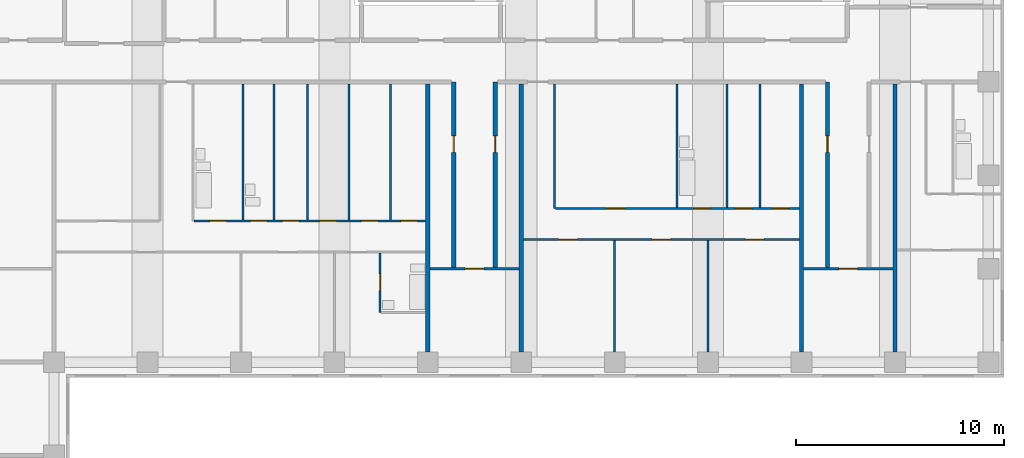
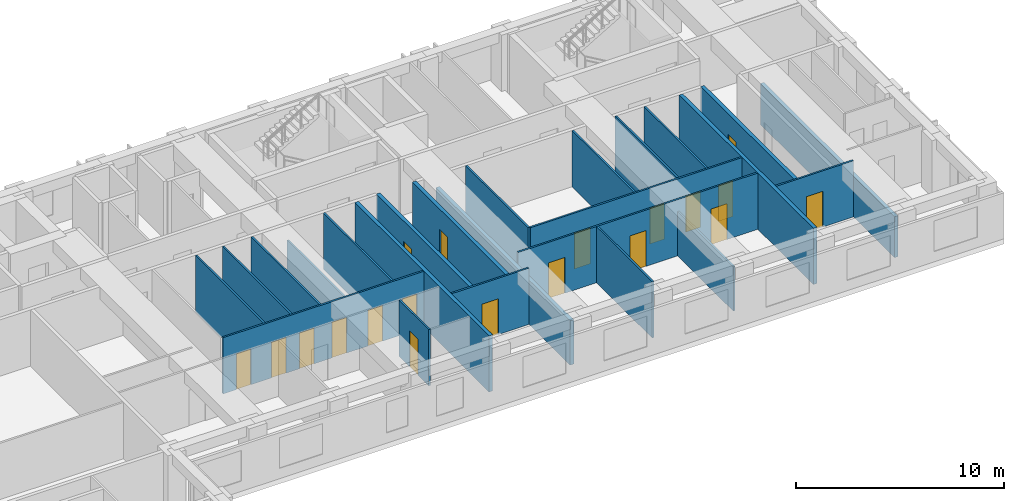
# One storey, part 7 of 12: 24 walls, 19 doors, 19 openings.
"""IFC4 building model written with IfcOpenShell, lengths in metres."""

from ifc_helpers import new_model, si_unit, direction, frame, frame_2d, origin, place, context, subcontext, project, spatial, rectangle, extrude, material, layer, layer_set, type_object, element, fill, save


model = new_model("IFC4")

# Units and contexts
model_context = context("Model", 3, precision=1e-05, world=origin(), true_north=direction((0.0, 1.0)))
body_context = subcontext(model_context, "Body", "Model", "MODEL_VIEW")
ifc_project = project(units=[si_unit("LENGTHUNIT", "METRE"), si_unit("AREAUNIT", "SQUARE_METRE"), si_unit("VOLUMEUNIT", "CUBIC_METRE"), si_unit("PLANEANGLEUNIT", "RADIAN"), si_unit("MASSUNIT", "GRAM", prefix="KILO")], contexts=[model_context])

# Site, building, storey
site_placement = place(None, origin())
site = spatial("IfcSite", under=ifc_project, at=site_placement, CompositionType="ELEMENT")
building_placement = place(site_placement, origin())
building = spatial("IfcBuilding", under=site, at=building_placement, Name="Firuza Court", CompositionType="ELEMENT")
storey_placement = place(building_placement, frame((0.0, 0.0, 155.60009765625)))
storey = spatial("IfcBuildingStorey", under=building, at=storey_placement, Name="L39", CompositionType="ELEMENT", Elevation=155.60009765625)

# Wall, opening, door
ifc_material_1 = material(Name="Moisture-resistant gypsum board partition")
ifc_layer_1 = layer(ifc_material_1, 0.10009765625)
ifc_layer_set_1 = layer_set([ifc_layer_1], Name="Moisture-resistant gypsum board partition")
wall_type_1 = type_object("IfcWallType", Name="Bathroom partition 100", PredefinedType="PLUMBINGWALL", material=ifc_layer_set_1)
wall_1_placement = place(storey_placement, frame((38.199951171875, 38.39990234375, 0.0), z_axis=(0.0, 0.0, 1.0), x_axis=(0.0, 1.0, 0.0)))
wall_1 = element("IfcWall", 1, at=wall_1_placement, inside=storey, type_object=wall_type_1, Name="Bathroom partition 100 L39", PredefinedType="PLUMBINGWALL", context=body_context, shape_type="SweptSolid", body=[
    extrude(rectangle(XDim=2.85009765625, YDim=0.10009765625, at=frame_2d((1.425048828125, 0.0))), origin(), (0.0, 0.0, 1.0), 3.2998046875),
])
opening_1_placement = place(wall_1_placement, frame((1.050048828125, 0.0, 0.0)))
opening_1 = element("IfcOpeningElement", 2, at=opening_1_placement, cuts=wall_1, Name="Opening D39039", PredefinedType="OPENING", context=body_context, shape_type="SweptSolid", body=[
    extrude(rectangle(XDim=0.800048828125, YDim=2.10009765625, at=frame_2d((0.39990234375, 1.050048828125))), frame((0.0, 0.06201171875, 0.0), z_axis=(0.0, -1.0, 0.0), x_axis=(1.0, 0.0, 0.0)), (0.0, 0.0, 1.0), 0.1240234375),
])
ifc_material_2 = material(Name="Timber door leaf in hardwood frame", Category="wood")
door_type_1 = type_object("IfcDoorType", Name="Bathroom door 800", OperationType="SINGLE_SWING_LEFT", PredefinedType="DOOR", material=ifc_material_2)
door_1_placement = place(opening_1_placement, frame((0.800048828125, 0.0, 0.0), z_axis=(0.0, 0.0, 1.0), x_axis=(-1.0, 0.0, 0.0)))
door_1 = element("IfcDoor", 3, at=door_1_placement, inside=storey, type_object=door_type_1, Name="En-suite door", OperationType="SINGLE_SWING_RIGHT", OverallHeight=2.10009765625, OverallWidth=0.800048828125, PredefinedType="DOOR", context=body_context, shape_type="SweptSolid", body=[
    extrude(rectangle(XDim=0.800048828125, YDim=2.10009765625, at=frame_2d((0.39990234375, 1.050048828125))), frame((0.0, 0.02490234375, 0.0), z_axis=(0.0, -1.0, 0.0), x_axis=(1.0, 0.0, 0.0)), (0.0, 0.0, 1.0), 0.050048828125),
])
fill(opening_1, door_1)

# Walls
for number, where, z_axis, x_axis, name in (
    (4, (31.60009765625, 42.85009765625, 0.0), (0.0, 0.0, 1.0), (0.0, 1.0, 0.0), "Bathroom partition 100 L39"),
    (5, (33.10009765625, 42.85009765625, 0.0), (0.0, 0.0, 1.0), (0.0, 1.0, 0.0), "Bathroom partition 100 L39"),
):
    element("IfcWall", number, at=place(storey_placement, frame(where, z_axis=z_axis, x_axis=x_axis)), inside=storey, type_object=wall_type_1, Name=name, PredefinedType="PLUMBINGWALL", context=body_context, shape_type="SweptSolid", body=[
        extrude(rectangle(XDim=6.5498046875, YDim=0.10009765625, at=frame_2d((3.27490234375, 0.0))), origin(), (0.0, 0.0, 1.0), 3.2998046875),
    ])
for number, where, z_axis, x_axis, name in (
    (6, (52.5, 43.449951171875, 0.0), (0.0, 0.0, 1.0), (0.0, 1.0, 0.0), "Bathroom partition 100 L39"),
    (7, (54.89990234375, 43.449951171875, 0.0), (0.0, 0.0, 1.0), (0.0, 1.0, 0.0), "Bathroom partition 100 L39"),
):
    element("IfcWall", number, at=place(storey_placement, frame(where, z_axis=z_axis, x_axis=x_axis)), inside=storey, type_object=wall_type_1, Name=name, PredefinedType="PLUMBINGWALL", context=body_context, shape_type="SweptSolid", body=[
        extrude(rectangle(XDim=5.949951171875, YDim=0.10009765625, at=frame_2d((2.97509765625, 0.0))), origin(), (0.0, 0.0, 1.0), 3.2998046875),
    ])

# Wall, opening, door
ifc_material_3 = material(Name="Blockwork, plastered both sides", Category="masonry")
ifc_layer_2 = layer(ifc_material_3, 0.199951171875)
ifc_layer_set_2 = layer_set([ifc_layer_2], Name="Blockwork, plastered both sides")
wall_type_2 = type_object("IfcWallType", Name="Corridor wall 200", PredefinedType="PARTITIONING", material=ifc_layer_set_2)
wall_2_placement = place(storey_placement, frame((41.75, 40.550048828125, 0.0), z_axis=(0.0, 0.0, 1.0), x_axis=(0.0, 1.0, 0.0)))
wall_2 = element("IfcWall", 8, at=wall_2_placement, inside=storey, type_object=wall_type_2, Name="Corridor wall 200 L39", PredefinedType="PARTITIONING", context=body_context, shape_type="SweptSolid", body=[
    extrude(rectangle(XDim=8.949951171875, YDim=0.199951171875, at=frame_2d((4.47509765625, 0.0))), origin(), (0.0, 0.0, 1.0), 3.2998046875),
])
opening_2_placement = place(wall_2_placement, frame((5.550048828125, 0.0, 0.0)))
opening_2 = element("IfcOpeningElement", 9, at=opening_2_placement, cuts=wall_2, Name="Opening D39042", PredefinedType="OPENING", context=body_context, shape_type="SweptSolid", body=[
    extrude(rectangle(XDim=0.800048828125, YDim=2.10009765625, at=frame_2d((0.39990234375, 1.050048828125))), frame((0.0, 0.11181640625, 0.0), z_axis=(0.0, -1.0, 0.0), x_axis=(1.0, 0.0, 0.0)), (0.0, 0.0, 1.0), 0.223876953125),
])
ifc_material_4 = material(Name="Timber door leaf in hardwood frame", Category="wood")
door_type_2 = type_object("IfcDoorType", Name="Room door 800 EI 30", OperationType="SINGLE_SWING_LEFT", PredefinedType="DOOR", material=ifc_material_4)
door_2_placement = place(opening_2_placement, origin())
door_2 = element("IfcDoor", 10, at=door_2_placement, inside=storey, type_object=door_type_2, Name="Store door", OperationType="SINGLE_SWING_RIGHT", OverallHeight=2.10009765625, OverallWidth=0.800048828125, PredefinedType="DOOR", context=body_context, shape_type="SweptSolid", body=[
    extrude(rectangle(XDim=0.800048828125, YDim=2.10009765625, at=frame_2d((0.39990234375, 1.050048828125))), frame((0.0, 0.02490234375, 0.0), z_axis=(0.0, -1.0, 0.0), x_axis=(1.0, 0.0, 0.0)), (0.0, 0.0, 1.0), 0.050048828125),
])
fill(opening_2, door_2)

wall_3_placement = place(storey_placement, frame((43.75, 40.550048828125, 0.0), z_axis=(0.0, 0.0, 1.0), x_axis=(0.0, 1.0, 0.0)))
wall_3 = element("IfcWall", 11, at=wall_3_placement, inside=storey, type_object=wall_type_2, Name="Corridor wall 200 L39", PredefinedType="PARTITIONING", context=body_context, shape_type="SweptSolid", body=[
    extrude(rectangle(XDim=8.949951171875, YDim=0.199951171875, at=frame_2d((4.47509765625, 0.0))), origin(), (0.0, 0.0, 1.0), 3.2998046875),
])
opening_3_placement = place(wall_3_placement, frame((5.550048828125, 0.0, 0.0)))
opening_3 = element("IfcOpeningElement", 12, at=opening_3_placement, cuts=wall_3, Name="Opening D39043", PredefinedType="OPENING", context=body_context, shape_type="SweptSolid", body=[
    extrude(rectangle(XDim=0.800048828125, YDim=2.10009765625, at=frame_2d((0.39990234375, 1.050048828125))), frame((0.0, 0.11181640625, 0.0), z_axis=(0.0, -1.0, 0.0), x_axis=(1.0, 0.0, 0.0)), (0.0, 0.0, 1.0), 0.223876953125),
])
door_3_placement = place(opening_3_placement, frame((0.800048828125, 0.0, 0.0), z_axis=(0.0, 0.0, 1.0), x_axis=(-1.0, 0.0, 0.0)))
door_3 = element("IfcDoor", 13, at=door_3_placement, inside=storey, type_object=door_type_2, Name="Store door", OperationType="SINGLE_SWING_LEFT", OverallHeight=2.10009765625, OverallWidth=0.800048828125, PredefinedType="DOOR", context=body_context, shape_type="SweptSolid", body=[
    extrude(rectangle(XDim=0.800048828125, YDim=2.10009765625, at=frame_2d((0.39990234375, 1.050048828125))), frame((0.0, 0.02490234375, 0.0), z_axis=(0.0, -1.0, 0.0), x_axis=(1.0, 0.0, 0.0)), (0.0, 0.0, 1.0), 0.050048828125),
])
fill(opening_3, door_3)

wall_4_placement = place(storey_placement, frame((59.75, 40.550048828125, 0.0), z_axis=(0.0, 0.0, 1.0), x_axis=(0.0, 1.0, 0.0)))
wall_4 = element("IfcWall", 14, at=wall_4_placement, inside=storey, type_object=wall_type_2, Name="Corridor wall 200 L39", PredefinedType="PARTITIONING", context=body_context, shape_type="SweptSolid", body=[
    extrude(rectangle(XDim=8.949951171875, YDim=0.199951171875, at=frame_2d((4.47509765625, 0.0))), origin(), (0.0, 0.0, 1.0), 3.2998046875),
])
opening_4_placement = place(wall_4_placement, frame((5.550048828125, 0.0, 0.0)))
opening_4 = element("IfcOpeningElement", 15, at=opening_4_placement, cuts=wall_4, Name="Opening D39044", PredefinedType="OPENING", context=body_context, shape_type="SweptSolid", body=[
    extrude(rectangle(XDim=0.800048828125, YDim=2.10009765625, at=frame_2d((0.39990234375, 1.050048828125))), frame((0.0, 0.11181640625, 0.0), z_axis=(0.0, -1.0, 0.0), x_axis=(1.0, 0.0, 0.0)), (0.0, 0.0, 1.0), 0.223876953125),
])
door_4_placement = place(opening_4_placement, origin())
door_4 = element("IfcDoor", 16, at=door_4_placement, inside=storey, type_object=door_type_2, Name="Store door", OperationType="SINGLE_SWING_RIGHT", OverallHeight=2.10009765625, OverallWidth=0.800048828125, PredefinedType="DOOR", context=body_context, shape_type="SweptSolid", body=[
    extrude(rectangle(XDim=0.800048828125, YDim=2.10009765625, at=frame_2d((0.39990234375, 1.050048828125))), frame((0.0, 0.02490234375, 0.0), z_axis=(0.0, -1.0, 0.0), x_axis=(1.0, 0.0, 0.0)), (0.0, 0.0, 1.0), 0.050048828125),
])
fill(opening_4, door_4)

# Walls
ifc_material_5 = material(Name="Timber stud partition, plasterboard both sides", Category="wood")
ifc_layer_3 = layer(ifc_material_5, 0.10009765625)
ifc_layer_set_3 = layer_set([ifc_layer_3], Name="Timber stud partition, plasterboard both sides")
wall_type_3 = type_object("IfcWallType", Name="Partition wall 100", PredefinedType="PARTITIONING", material=ifc_layer_set_3)
wall_5_placement = place(storey_placement, frame((49.5, 36.5, 0.0), z_axis=(0.0, 0.0, 1.0), x_axis=(0.0, 1.0, 0.0)))
element("IfcWall", 17, at=wall_5_placement, inside=storey, type_object=wall_type_3, Name="Partition wall 100 L39", PredefinedType="PARTITIONING", context=body_context, shape_type="SweptSolid", body=[
    extrude(rectangle(XDim=5.35009765625, YDim=0.10009765625, at=frame_2d((2.675048828125, 0.0))), origin(), (0.0, 0.0, 1.0), 3.2998046875),
])
wall_6_placement = place(storey_placement, frame((54.0, 36.5, 0.0), z_axis=(0.0, 0.0, 1.0), x_axis=(0.0, 1.0, 0.0)))
element("IfcWall", 18, at=wall_6_placement, inside=storey, type_object=wall_type_3, Name="Partition wall 100 L39", PredefinedType="PARTITIONING", context=body_context, shape_type="SweptSolid", body=[
    extrude(rectangle(XDim=5.35009765625, YDim=0.10009765625, at=frame_2d((2.675048828125, 0.0))), origin(), (0.0, 0.0, 1.0), 2.599853515625),
])

# Wall, opening, door
wall_7_placement = place(storey_placement, frame((40.60009765625, 40.5, 0.0), z_axis=(0.0, 0.0, 1.0), x_axis=(1.0, 0.0, 0.0)))
wall_7 = element("IfcWall", 19, at=wall_7_placement, inside=storey, type_object=wall_type_3, Name="Partition wall 100 L39", PredefinedType="PARTITIONING", context=body_context, shape_type="SweptSolid", body=[
    extrude(rectangle(XDim=4.2998046875, YDim=0.10009765625, at=frame_2d((2.14990234375, 0.0))), origin(), (0.0, 0.0, 1.0), 3.2998046875),
])
opening_5_placement = place(wall_7_placement, frame((1.699951171875, 0.0, 0.0)))
opening_5 = element("IfcOpeningElement", 20, at=opening_5_placement, cuts=wall_7, Name="Opening D39040", PredefinedType="OPENING", context=body_context, shape_type="SweptSolid", body=[
    extrude(rectangle(XDim=0.89990234375, YDim=2.10009765625, at=frame_2d((0.449951171875, 1.050048828125))), frame((0.0, 0.06201171875, 0.0), z_axis=(0.0, -1.0, 0.0), x_axis=(1.0, 0.0, 0.0)), (0.0, 0.0, 1.0), 0.1240234375),
])
ifc_material_6 = material(Name="Timber door leaf in hardwood frame", Category="wood")
door_type_3 = type_object("IfcDoorType", Name="Room door 900", OperationType="SINGLE_SWING_LEFT", PredefinedType="DOOR", material=ifc_material_6)
door_5_placement = place(opening_5_placement, origin())
door_5 = element("IfcDoor", 21, at=door_5_placement, inside=storey, type_object=door_type_3, Name="Music lounge door", OperationType="SINGLE_SWING_LEFT", OverallHeight=2.10009765625, OverallWidth=0.89990234375, PredefinedType="DOOR", context=body_context, shape_type="SweptSolid", body=[
    extrude(rectangle(XDim=0.89990234375, YDim=2.10009765625, at=frame_2d((0.449951171875, 1.050048828125))), frame((0.0, 0.02490234375, 0.0), z_axis=(0.0, -1.0, 0.0), x_axis=(1.0, 0.0, 0.0)), (0.0, 0.0, 1.0), 0.050048828125),
])
fill(opening_5, door_5)

wall_8_placement = place(storey_placement, frame((58.60009765625, 40.5, 0.0), z_axis=(0.0, 0.0, 1.0), x_axis=(1.0, 0.0, 0.0)))
wall_8 = element("IfcWall", 22, at=wall_8_placement, inside=storey, type_object=wall_type_3, Name="Partition wall 100 L39", PredefinedType="PARTITIONING", context=body_context, shape_type="SweptSolid", body=[
    extrude(rectangle(XDim=4.2998046875, YDim=0.10009765625, at=frame_2d((2.14990234375, 0.0))), origin(), (0.0, 0.0, 1.0), 3.2998046875),
])
opening_6_placement = place(wall_8_placement, frame((1.699951171875, 0.0, 0.0)))
opening_6 = element("IfcOpeningElement", 23, at=opening_6_placement, cuts=wall_8, Name="Opening D39041", PredefinedType="OPENING", context=body_context, shape_type="SweptSolid", body=[
    extrude(rectangle(XDim=0.89990234375, YDim=2.10009765625, at=frame_2d((0.449951171875, 1.050048828125))), frame((0.0, 0.06201171875, 0.0), z_axis=(0.0, -1.0, 0.0), x_axis=(1.0, 0.0, 0.0)), (0.0, 0.0, 1.0), 0.1240234375),
])
door_6_placement = place(opening_6_placement, origin())
door_6 = element("IfcDoor", 24, at=door_6_placement, inside=storey, type_object=door_type_3, Name="Residents' lounge door", OperationType="SINGLE_SWING_LEFT", OverallHeight=2.10009765625, OverallWidth=0.89990234375, PredefinedType="DOOR", context=body_context, shape_type="SweptSolid", body=[
    extrude(rectangle(XDim=0.89990234375, YDim=2.10009765625, at=frame_2d((0.449951171875, 1.050048828125))), frame((0.0, 0.02490234375, 0.0), z_axis=(0.0, -1.0, 0.0), x_axis=(1.0, 0.0, 0.0)), (0.0, 0.0, 1.0), 0.050048828125),
])
fill(opening_6, door_6)

# Wall, openings, doors
wall_9_placement = place(storey_placement, frame((45.10009765625, 41.89990234375, 0.0), z_axis=(0.0, 0.0, 1.0), x_axis=(1.0, 0.0, 0.0)))
wall_9 = element("IfcWall", 25, at=wall_9_placement, inside=storey, type_object=wall_type_3, Name="Partition wall 100 L39", PredefinedType="PARTITIONING", context=body_context, shape_type="SweptSolid", body=[
    extrude(rectangle(XDim=13.2998046875, YDim=0.10009765625, at=frame_2d((6.64990234375, 0.0))), origin(), (0.0, 0.0, 1.0), 3.2998046875),
])
opening_7_placement = place(wall_9_placement, frame((1.699951171875, 0.0, 0.0)))
opening_7 = element("IfcOpeningElement", 26, at=opening_7_placement, cuts=wall_9, Name="Opening D39050", PredefinedType="OPENING", context=body_context, shape_type="SweptSolid", body=[
    extrude(rectangle(XDim=0.89990234375, YDim=2.10009765625, at=frame_2d((0.449951171875, 1.050048828125))), frame((0.0, 0.06201171875, 0.0), z_axis=(0.0, -1.0, 0.0), x_axis=(1.0, 0.0, 0.0)), (0.0, 0.0, 1.0), 0.1240234375),
])
opening_8_placement = place(wall_9_placement, frame((6.199951171875, 0.0, 0.0)))
opening_8 = element("IfcOpeningElement", 27, at=opening_8_placement, cuts=wall_9, Name="Opening D39051", PredefinedType="OPENING", context=body_context, shape_type="SweptSolid", body=[
    extrude(rectangle(XDim=0.89990234375, YDim=2.10009765625, at=frame_2d((0.449951171875, 1.050048828125))), frame((0.0, 0.06201171875, 0.0), z_axis=(0.0, -1.0, 0.0), x_axis=(1.0, 0.0, 0.0)), (0.0, 0.0, 1.0), 0.1240234375),
])
opening_9_placement = place(wall_9_placement, frame((10.699951171875, 0.0, 0.0)))
opening_9 = element("IfcOpeningElement", 28, at=opening_9_placement, cuts=wall_9, Name="Opening D39052", PredefinedType="OPENING", context=body_context, shape_type="SweptSolid", body=[
    extrude(rectangle(XDim=0.89990234375, YDim=2.10009765625, at=frame_2d((0.449951171875, 1.050048828125))), frame((0.0, 0.06201171875, 0.0), z_axis=(0.0, -1.0, 0.0), x_axis=(1.0, 0.0, 0.0)), (0.0, 0.0, 1.0), 0.1240234375),
])
door_7_placement = place(opening_7_placement, frame((0.89990234375, 0.0, 0.0), z_axis=(0.0, 0.0, 1.0), x_axis=(-1.0, 0.0, 0.0)))
door_7 = element("IfcDoor", 29, at=door_7_placement, inside=storey, type_object=door_type_3, Name="Living room door", OperationType="SINGLE_SWING_RIGHT", OverallHeight=2.10009765625, OverallWidth=0.89990234375, PredefinedType="DOOR", context=body_context, shape_type="SweptSolid", body=[
    extrude(rectangle(XDim=0.89990234375, YDim=2.10009765625, at=frame_2d((0.449951171875, 1.050048828125))), frame((0.0, 0.02490234375, 0.0), z_axis=(0.0, -1.0, 0.0), x_axis=(1.0, 0.0, 0.0)), (0.0, 0.0, 1.0), 0.050048828125),
])
fill(opening_7, door_7)
door_8_placement = place(opening_8_placement, frame((0.89990234375, 0.0, 0.0), z_axis=(0.0, 0.0, 1.0), x_axis=(-1.0, 0.0, 0.0)))
door_8 = element("IfcDoor", 30, at=door_8_placement, inside=storey, type_object=door_type_3, Name="Bedroom door", OperationType="SINGLE_SWING_RIGHT", OverallHeight=2.10009765625, OverallWidth=0.89990234375, PredefinedType="DOOR", context=body_context, shape_type="SweptSolid", body=[
    extrude(rectangle(XDim=0.89990234375, YDim=2.10009765625, at=frame_2d((0.449951171875, 1.050048828125))), frame((0.0, 0.02490234375, 0.0), z_axis=(0.0, -1.0, 0.0), x_axis=(1.0, 0.0, 0.0)), (0.0, 0.0, 1.0), 0.050048828125),
])
fill(opening_8, door_8)
door_9_placement = place(opening_9_placement, frame((0.89990234375, 0.0, 0.0), z_axis=(0.0, 0.0, 1.0), x_axis=(-1.0, 0.0, 0.0)))
door_9 = element("IfcDoor", 31, at=door_9_placement, inside=storey, type_object=door_type_3, Name="Bedroom door", OperationType="SINGLE_SWING_RIGHT", OverallHeight=2.10009765625, OverallWidth=0.89990234375, PredefinedType="DOOR", context=body_context, shape_type="SweptSolid", body=[
    extrude(rectangle(XDim=0.89990234375, YDim=2.10009765625, at=frame_2d((0.449951171875, 1.050048828125))), frame((0.0, 0.02490234375, 0.0), z_axis=(0.0, -1.0, 0.0), x_axis=(1.0, 0.0, 0.0)), (0.0, 0.0, 1.0), 0.050048828125),
])
fill(opening_9, door_9)

wall_10_placement = place(storey_placement, frame((29.25, 42.800048828125, 0.0), z_axis=(0.0, 0.0, 1.0), x_axis=(1.0, 0.0, 0.0)))
wall_10 = element("IfcWall", 32, at=wall_10_placement, inside=storey, type_object=wall_type_3, Name="Partition wall 100 L39", PredefinedType="PARTITIONING", context=body_context, shape_type="SweptSolid", body=[
    extrude(rectangle(XDim=11.14990234375, YDim=0.10009765625, at=frame_2d((5.574951171875, 0.0))), origin(), (0.0, 0.0, 1.0), 3.2998046875),
])
opening_10_placement = place(wall_10_placement, frame((0.75, 0.0, 0.0)))
opening_10 = element("IfcOpeningElement", 33, at=opening_10_placement, cuts=wall_10, Name="Opening D39054", PredefinedType="OPENING", context=body_context, shape_type="SweptSolid", body=[
    extrude(rectangle(XDim=0.800048828125, YDim=2.10009765625, at=frame_2d((0.39990234375, 1.050048828125))), frame((0.0, 0.06201171875, 0.0), z_axis=(0.0, -1.0, 0.0), x_axis=(1.0, 0.0, 0.0)), (0.0, 0.0, 1.0), 0.1240234375),
])
opening_11_placement = place(wall_10_placement, frame((8.050048828125, 0.0, 0.0)))
opening_11 = element("IfcOpeningElement", 34, at=opening_11_placement, cuts=wall_10, Name="Opening D39055", PredefinedType="OPENING", context=body_context, shape_type="SweptSolid", body=[
    extrude(rectangle(XDim=0.800048828125, YDim=2.10009765625, at=frame_2d((0.39990234375, 1.050048828125))), frame((0.0, 0.06201171875, 0.0), z_axis=(0.0, -1.0, 0.0), x_axis=(1.0, 0.0, 0.0)), (0.0, 0.0, 1.0), 0.1240234375),
])
opening_12_placement = place(wall_10_placement, frame((4.25, 0.0, 0.0)))
opening_12 = element("IfcOpeningElement", 35, at=opening_12_placement, cuts=wall_10, Name="Opening D39056", PredefinedType="OPENING", context=body_context, shape_type="SweptSolid", body=[
    extrude(rectangle(XDim=0.800048828125, YDim=2.10009765625, at=frame_2d((0.39990234375, 1.050048828125))), frame((0.0, 0.06201171875, 0.0), z_axis=(0.0, -1.0, 0.0), x_axis=(1.0, 0.0, 0.0)), (0.0, 0.0, 1.0), 0.1240234375),
])
opening_13_placement = place(wall_10_placement, frame((6.050048828125, 0.0, 0.0)))
opening_13 = element("IfcOpeningElement", 36, at=opening_13_placement, cuts=wall_10, Name="Opening D39057", PredefinedType="OPENING", context=body_context, shape_type="SweptSolid", body=[
    extrude(rectangle(XDim=0.800048828125, YDim=2.10009765625, at=frame_2d((0.39990234375, 1.050048828125))), frame((0.0, 0.06201171875, 0.0), z_axis=(0.0, -1.0, 0.0), x_axis=(1.0, 0.0, 0.0)), (0.0, 0.0, 1.0), 0.1240234375),
])
opening_14_placement = place(wall_10_placement, frame((9.949951171875, 0.0, 0.0)))
opening_14 = element("IfcOpeningElement", 37, at=opening_14_placement, cuts=wall_10, Name="Opening D39058", PredefinedType="OPENING", context=body_context, shape_type="SweptSolid", body=[
    extrude(rectangle(XDim=0.800048828125, YDim=2.10009765625, at=frame_2d((0.39990234375, 1.050048828125))), frame((0.0, 0.06201171875, 0.0), z_axis=(0.0, -1.0, 0.0), x_axis=(1.0, 0.0, 0.0)), (0.0, 0.0, 1.0), 0.1240234375),
])
opening_15_placement = place(wall_10_placement, frame((2.699951171875, 0.0, 0.0)))
opening_15 = element("IfcOpeningElement", 38, at=opening_15_placement, cuts=wall_10, Name="Opening D39059", PredefinedType="OPENING", context=body_context, shape_type="SweptSolid", body=[
    extrude(rectangle(XDim=0.800048828125, YDim=2.10009765625, at=frame_2d((0.39990234375, 1.050048828125))), frame((0.0, 0.06201171875, 0.0), z_axis=(0.0, -1.0, 0.0), x_axis=(1.0, 0.0, 0.0)), (0.0, 0.0, 1.0), 0.1240234375),
])
door_10_placement = place(opening_10_placement, origin())
door_10 = element("IfcDoor", 39, at=door_10_placement, inside=storey, type_object=door_type_1, Name="Bathroom door", OperationType="SINGLE_SWING_LEFT", OverallHeight=2.10009765625, OverallWidth=0.800048828125, PredefinedType="DOOR", context=body_context, shape_type="SweptSolid", body=[
    extrude(rectangle(XDim=0.800048828125, YDim=2.10009765625, at=frame_2d((0.39990234375, 1.050048828125))), frame((0.0, 0.02490234375, 0.0), z_axis=(0.0, -1.0, 0.0), x_axis=(1.0, 0.0, 0.0)), (0.0, 0.0, 1.0), 0.050048828125),
])
fill(opening_10, door_10)
door_11_placement = place(opening_15_placement, origin())
door_11 = element("IfcDoor", 40, at=door_11_placement, inside=storey, type_object=door_type_1, Name="Powder room door", OperationType="SINGLE_SWING_LEFT", OverallHeight=2.10009765625, OverallWidth=0.800048828125, PredefinedType="DOOR", context=body_context, shape_type="SweptSolid", body=[
    extrude(rectangle(XDim=0.800048828125, YDim=2.10009765625, at=frame_2d((0.39990234375, 1.050048828125))), frame((0.0, 0.02490234375, 0.0), z_axis=(0.0, -1.0, 0.0), x_axis=(1.0, 0.0, 0.0)), (0.0, 0.0, 1.0), 0.050048828125),
])
fill(opening_15, door_11)
ifc_material_7 = material(Name="Timber door leaf in hardwood frame", Category="wood")
door_type_4 = type_object("IfcDoorType", Name="Room door 800", OperationType="SINGLE_SWING_LEFT", PredefinedType="DOOR", material=ifc_material_7)
door_12_placement = place(opening_11_placement, origin())
door_12 = element("IfcDoor", 41, at=door_12_placement, inside=storey, type_object=door_type_4, Name="Pantry door", OperationType="SINGLE_SWING_LEFT", OverallHeight=2.10009765625, OverallWidth=0.800048828125, PredefinedType="DOOR", context=body_context, shape_type="SweptSolid", body=[
    extrude(rectangle(XDim=0.800048828125, YDim=2.10009765625, at=frame_2d((0.39990234375, 1.050048828125))), frame((0.0, 0.02490234375, 0.0), z_axis=(0.0, -1.0, 0.0), x_axis=(1.0, 0.0, 0.0)), (0.0, 0.0, 1.0), 0.050048828125),
])
fill(opening_11, door_12)
door_13_placement = place(opening_12_placement, origin())
door_13 = element("IfcDoor", 42, at=door_13_placement, inside=storey, type_object=door_type_4, Name="Store door", OperationType="SINGLE_SWING_LEFT", OverallHeight=2.10009765625, OverallWidth=0.800048828125, PredefinedType="DOOR", context=body_context, shape_type="SweptSolid", body=[
    extrude(rectangle(XDim=0.800048828125, YDim=2.10009765625, at=frame_2d((0.39990234375, 1.050048828125))), frame((0.0, 0.02490234375, 0.0), z_axis=(0.0, -1.0, 0.0), x_axis=(1.0, 0.0, 0.0)), (0.0, 0.0, 1.0), 0.050048828125),
])
fill(opening_12, door_13)
door_14_placement = place(opening_13_placement, origin())
door_14 = element("IfcDoor", 43, at=door_14_placement, inside=storey, type_object=door_type_4, Name="Utility room door", OperationType="SINGLE_SWING_LEFT", OverallHeight=2.10009765625, OverallWidth=0.800048828125, PredefinedType="DOOR", context=body_context, shape_type="SweptSolid", body=[
    extrude(rectangle(XDim=0.800048828125, YDim=2.10009765625, at=frame_2d((0.39990234375, 1.050048828125))), frame((0.0, 0.02490234375, 0.0), z_axis=(0.0, -1.0, 0.0), x_axis=(1.0, 0.0, 0.0)), (0.0, 0.0, 1.0), 0.050048828125),
])
fill(opening_13, door_14)
door_15_placement = place(opening_14_placement, origin())
door_15 = element("IfcDoor", 44, at=door_15_placement, inside=storey, type_object=door_type_4, Name="Walk-in wardrobe door", OperationType="SINGLE_SWING_LEFT", OverallHeight=2.10009765625, OverallWidth=0.800048828125, PredefinedType="DOOR", context=body_context, shape_type="SweptSolid", body=[
    extrude(rectangle(XDim=0.800048828125, YDim=2.10009765625, at=frame_2d((0.39990234375, 1.050048828125))), frame((0.0, 0.02490234375, 0.0), z_axis=(0.0, -1.0, 0.0), x_axis=(1.0, 0.0, 0.0)), (0.0, 0.0, 1.0), 0.050048828125),
])
fill(opening_14, door_15)

# Walls
wall_11_placement = place(storey_placement, frame((34.699951171875, 42.85009765625, 0.0), z_axis=(0.0, 0.0, 1.0), x_axis=(0.0, 1.0, 0.0)))
element("IfcWall", 45, at=wall_11_placement, inside=storey, type_object=wall_type_3, Name="Partition wall 100 L39", PredefinedType="PARTITIONING", context=body_context, shape_type="SweptSolid", body=[
    extrude(rectangle(XDim=6.5498046875, YDim=0.10009765625, at=frame_2d((3.27490234375, 0.0))), origin(), (0.0, 0.0, 1.0), 3.2998046875),
])
wall_12_placement = place(storey_placement, frame((36.699951171875, 42.85009765625, 0.0), z_axis=(0.0, 0.0, 1.0), x_axis=(0.0, 1.0, 0.0)))
element("IfcWall", 46, at=wall_12_placement, inside=storey, type_object=wall_type_3, Name="Partition wall 100 L39", PredefinedType="PARTITIONING", context=body_context, shape_type="SweptSolid", body=[
    extrude(rectangle(XDim=6.5498046875, YDim=0.10009765625, at=frame_2d((3.27490234375, 0.0))), origin(), (0.0, 0.0, 1.0), 2.39990234375),
])
wall_13_placement = place(storey_placement, frame((38.699951171875, 42.85009765625, 0.0), z_axis=(0.0, 0.0, 1.0), x_axis=(0.0, 1.0, 0.0)))
element("IfcWall", 47, at=wall_13_placement, inside=storey, type_object=wall_type_3, Name="Partition wall 100 L39", PredefinedType="PARTITIONING", context=body_context, shape_type="SweptSolid", body=[
    extrude(rectangle(XDim=6.5498046875, YDim=0.10009765625, at=frame_2d((3.27490234375, 0.0))), origin(), (0.0, 0.0, 1.0), 3.2998046875),
])
wall_14_placement = place(storey_placement, frame((46.60009765625, 43.39990234375, 0.0), z_axis=(0.0, 0.0, 1.0), x_axis=(0.0, 1.0, 0.0)))
element("IfcWall", 48, at=wall_14_placement, inside=storey, type_object=wall_type_3, Name="Partition wall 100 L39", PredefinedType="PARTITIONING", context=body_context, shape_type="SweptSolid", body=[
    extrude(rectangle(XDim=6.0, YDim=0.10009765625, at=frame_2d((3.0, 0.0))), origin(), (0.0, 0.0, 1.0), 3.2998046875),
])

# Wall, openings, doors
wall_15_placement = place(storey_placement, frame((46.64990234375, 43.39990234375, 0.0), z_axis=(0.0, 0.0, 1.0), x_axis=(1.0, 0.0, 0.0)))
wall_15 = element("IfcWall", 49, at=wall_15_placement, inside=storey, type_object=wall_type_3, Name="Partition wall 100 L39", PredefinedType="PARTITIONING", context=body_context, shape_type="SweptSolid", body=[
    extrude(rectangle(XDim=11.75, YDim=0.10009765625, at=frame_2d((5.875, 0.0))), origin(), (0.0, 0.0, 1.0), 3.2998046875),
])
opening_16_placement = place(wall_15_placement, frame((6.64990234375, 0.0, 0.0)))
opening_16 = element("IfcOpeningElement", 50, at=opening_16_placement, cuts=wall_15, Name="Opening D39060", PredefinedType="OPENING", context=body_context, shape_type="SweptSolid", body=[
    extrude(rectangle(XDim=0.800048828125, YDim=2.10009765625, at=frame_2d((0.39990234375, 1.050048828125))), frame((0.0, 0.06201171875, 0.0), z_axis=(0.0, -1.0, 0.0), x_axis=(1.0, 0.0, 0.0)), (0.0, 0.0, 1.0), 0.1240234375),
])
opening_17_placement = place(wall_15_placement, frame((2.449951171875, 0.0, 0.0)))
opening_17 = element("IfcOpeningElement", 51, at=opening_17_placement, cuts=wall_15, Name="Opening D39061", PredefinedType="OPENING", context=body_context, shape_type="SweptSolid", body=[
    extrude(rectangle(XDim=0.89990234375, YDim=2.10009765625, at=frame_2d((0.449951171875, 1.050048828125))), frame((0.0, 0.06201171875, 0.0), z_axis=(0.0, -1.0, 0.0), x_axis=(1.0, 0.0, 0.0)), (0.0, 0.0, 1.0), 0.1240234375),
])
opening_18_placement = place(wall_15_placement, frame((8.64990234375, 0.0, 0.0)))
opening_18 = element("IfcOpeningElement", 52, at=opening_18_placement, cuts=wall_15, Name="Opening D39062", PredefinedType="OPENING", context=body_context, shape_type="SweptSolid", body=[
    extrude(rectangle(XDim=0.800048828125, YDim=2.10009765625, at=frame_2d((0.39990234375, 1.050048828125))), frame((0.0, 0.06201171875, 0.0), z_axis=(0.0, -1.0, 0.0), x_axis=(1.0, 0.0, 0.0)), (0.0, 0.0, 1.0), 0.1240234375),
])
opening_19_placement = place(wall_15_placement, frame((10.449951171875, 0.0, 0.0)))
opening_19 = element("IfcOpeningElement", 53, at=opening_19_placement, cuts=wall_15, Name="Opening D39063", PredefinedType="OPENING", context=body_context, shape_type="SweptSolid", body=[
    extrude(rectangle(XDim=0.800048828125, YDim=2.10009765625, at=frame_2d((0.39990234375, 1.050048828125))), frame((0.0, 0.06201171875, 0.0), z_axis=(0.0, -1.0, 0.0), x_axis=(1.0, 0.0, 0.0)), (0.0, 0.0, 1.0), 0.1240234375),
])
door_16_placement = place(opening_16_placement, origin())
door_16 = element("IfcDoor", 54, at=door_16_placement, inside=storey, type_object=door_type_1, Name="Bathroom door", OperationType="SINGLE_SWING_LEFT", OverallHeight=2.10009765625, OverallWidth=0.800048828125, PredefinedType="DOOR", context=body_context, shape_type="SweptSolid", body=[
    extrude(rectangle(XDim=0.800048828125, YDim=2.10009765625, at=frame_2d((0.39990234375, 1.050048828125))), frame((0.0, 0.02490234375, 0.0), z_axis=(0.0, -1.0, 0.0), x_axis=(1.0, 0.0, 0.0)), (0.0, 0.0, 1.0), 0.050048828125),
])
fill(opening_16, door_16)
door_17_placement = place(opening_18_placement, origin())
door_17 = element("IfcDoor", 55, at=door_17_placement, inside=storey, type_object=door_type_4, Name="Store door", OperationType="SINGLE_SWING_LEFT", OverallHeight=2.10009765625, OverallWidth=0.800048828125, PredefinedType="DOOR", context=body_context, shape_type="SweptSolid", body=[
    extrude(rectangle(XDim=0.800048828125, YDim=2.10009765625, at=frame_2d((0.39990234375, 1.050048828125))), frame((0.0, 0.02490234375, 0.0), z_axis=(0.0, -1.0, 0.0), x_axis=(1.0, 0.0, 0.0)), (0.0, 0.0, 1.0), 0.050048828125),
])
fill(opening_18, door_17)
door_18_placement = place(opening_19_placement, origin())
door_18 = element("IfcDoor", 56, at=door_18_placement, inside=storey, type_object=door_type_4, Name="Utility room door", OperationType="SINGLE_SWING_LEFT", OverallHeight=2.10009765625, OverallWidth=0.800048828125, PredefinedType="DOOR", context=body_context, shape_type="SweptSolid", body=[
    extrude(rectangle(XDim=0.800048828125, YDim=2.10009765625, at=frame_2d((0.39990234375, 1.050048828125))), frame((0.0, 0.02490234375, 0.0), z_axis=(0.0, -1.0, 0.0), x_axis=(1.0, 0.0, 0.0)), (0.0, 0.0, 1.0), 0.050048828125),
])
fill(opening_19, door_18)
door_19_placement = place(opening_17_placement, origin())
door_19 = element("IfcDoor", 57, at=door_19_placement, inside=storey, type_object=door_type_3, Name="Kitchen door", OperationType="SINGLE_SWING_LEFT", OverallHeight=2.10009765625, OverallWidth=0.89990234375, PredefinedType="DOOR", context=body_context, shape_type="SweptSolid", body=[
    extrude(rectangle(XDim=0.89990234375, YDim=2.10009765625, at=frame_2d((0.449951171875, 1.050048828125))), frame((0.0, 0.02490234375, 0.0), z_axis=(0.0, -1.0, 0.0), x_axis=(1.0, 0.0, 0.0)), (0.0, 0.0, 1.0), 0.050048828125),
])
fill(opening_17, door_19)

# Walls
wall_16_placement = place(storey_placement, frame((56.5, 43.449951171875, 0.0), z_axis=(0.0, 0.0, 1.0), x_axis=(0.0, 1.0, 0.0)))
element("IfcWall", 58, at=wall_16_placement, inside=storey, type_object=wall_type_3, Name="Partition wall 100 L39", PredefinedType="PARTITIONING", context=body_context, shape_type="SweptSolid", body=[
    extrude(rectangle(XDim=5.949951171875, YDim=0.10009765625, at=frame_2d((2.97509765625, 0.0))), origin(), (0.0, 0.0, 1.0), 3.2998046875),
])
ifc_layer_4 = layer(ifc_material_3, 0.199951171875)
ifc_layer_set_4 = layer_set([ifc_layer_4], Name="Blockwork, plastered both sides")
wall_type_4 = type_object("IfcWallType", Name="Party wall 200", PredefinedType="PARTITIONING", material=ifc_layer_set_4)
wall_17_placement = place(storey_placement, frame((40.5, 36.5, 0.0), z_axis=(0.0, 0.0, 1.0), x_axis=(0.0, 1.0, 0.0)))
element("IfcWall", 59, at=wall_17_placement, inside=storey, type_object=wall_type_4, Name="Party wall 200 L39", PredefinedType="PARTITIONING", context=body_context, shape_type="SweptSolid", body=[
    extrude(rectangle(XDim=12.89990234375, YDim=0.199951171875, at=frame_2d((6.449951171875, 0.0))), origin(), (0.0, 0.0, 1.0), 3.2998046875),
])
wall_18_placement = place(storey_placement, frame((45.0, 36.5, 0.0), z_axis=(0.0, 0.0, 1.0), x_axis=(0.0, 1.0, 0.0)))
element("IfcWall", 60, at=wall_18_placement, inside=storey, type_object=wall_type_4, Name="Party wall 200 L39", PredefinedType="PARTITIONING", context=body_context, shape_type="SweptSolid", body=[
    extrude(rectangle(XDim=12.89990234375, YDim=0.199951171875, at=frame_2d((6.449951171875, 0.0))), origin(), (0.0, 0.0, 1.0), 2.599853515625),
])
wall_19_placement = place(storey_placement, frame((58.5, 36.5, 0.0), z_axis=(0.0, 0.0, 1.0), x_axis=(0.0, 1.0, 0.0)))
element("IfcWall", 61, at=wall_19_placement, inside=storey, type_object=wall_type_4, Name="Party wall 200 L39", PredefinedType="PARTITIONING", context=body_context, shape_type="SweptSolid", body=[
    extrude(rectangle(XDim=12.89990234375, YDim=0.199951171875, at=frame_2d((6.449951171875, 0.0))), origin(), (0.0, 0.0, 1.0), 3.2998046875),
])
wall_20_placement = place(storey_placement, frame((63.0, 36.5, 0.0), z_axis=(0.0, 0.0, 1.0), x_axis=(0.0, 1.0, 0.0)))
element("IfcWall", 62, at=wall_20_placement, inside=storey, type_object=wall_type_4, Name="Party wall 200 L39", PredefinedType="PARTITIONING", context=body_context, shape_type="SweptSolid", body=[
    extrude(rectangle(XDim=12.89990234375, YDim=0.199951171875, at=frame_2d((6.449951171875, 0.0))), origin(), (0.0, 0.0, 1.0), 2.39990234375),
])

save(model, "model.ifc")
